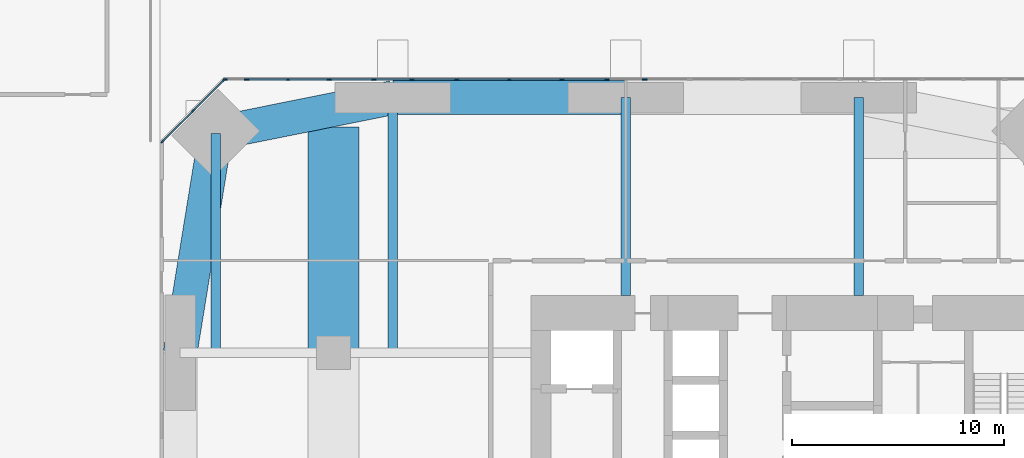
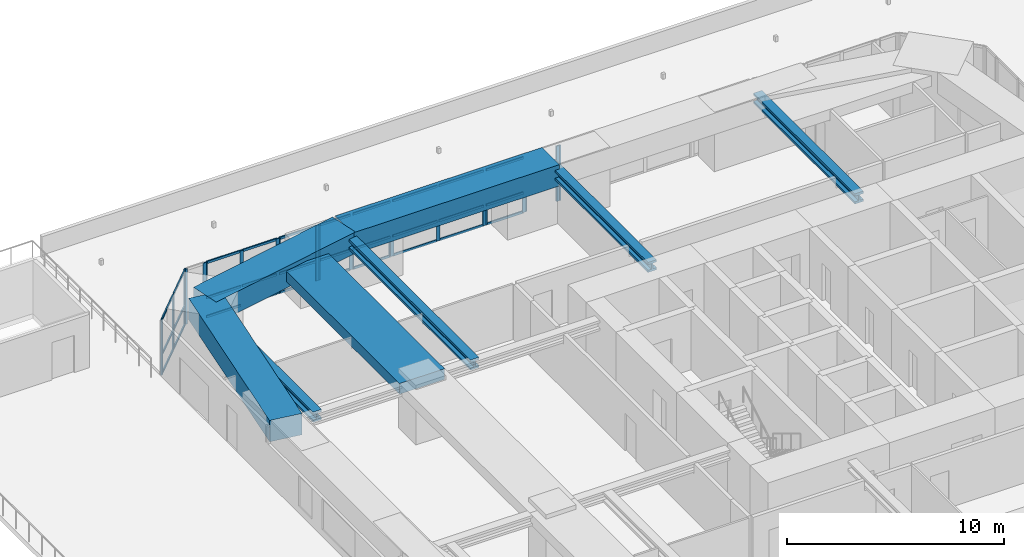
# One storey, part 5 of 20: 52 members, 8 beams, 10 elements without a shape of their own.
"""IFC4 building model written with IfcOpenShell, lengths in metres."""

from ifc_helpers import new_model, si_unit, direction, frame, origin, origin_2d, place, context, subcontext, project, spatial, rectangle, i_section, extrude, material, material_profile, profile_set, type_object, element, aggregate, save


model = new_model("IFC4")

# Units and contexts
model_context = context("Model", 3, precision=1e-05, world=origin(), true_north=direction((0.0, 1.0)))
body_context = subcontext(model_context, "Body", "Model", "MODEL_VIEW")
ifc_project = project(units=[si_unit("LENGTHUNIT", "METRE"), si_unit("AREAUNIT", "SQUARE_METRE"), si_unit("VOLUMEUNIT", "CUBIC_METRE"), si_unit("PLANEANGLEUNIT", "RADIAN"), si_unit("MASSUNIT", "GRAM", prefix="KILO")], contexts=[model_context])

# Site, building, storey
site_placement = place(None, origin())
site = spatial("IfcSite", under=ifc_project, at=site_placement, CompositionType="ELEMENT")
building_placement = place(site_placement, origin())
building = spatial("IfcBuilding", under=site, at=building_placement, Name="Jalousie Tower", CompositionType="ELEMENT")
storey_placement = place(building_placement, frame((0.0, 0.0, 21.0)))
storey = spatial("IfcBuildingStorey", under=building, at=storey_placement, Name="L04", CompositionType="ELEMENT", Elevation=21.0)

# Curtain wall, member
ifc_material_1 = material(Name="Aluminium curtain wall", Category="aluminium")
curtain_wall_type_1 = type_object("IfcCurtainWallType", Name="AMENITY SPANDREL WALL", PredefinedType="USERDEFINED", material=ifc_material_1)
curtain_wall_1_placement = place(storey_placement, origin())
curtain_wall_1 = element("IfcCurtainWall", 1, at=curtain_wall_1_placement, inside=storey, type_object=curtain_wall_type_1, Name="Amenity Spandrel Wall L04 47", ObjectType="AMENITY SPANDREL WALL", PredefinedType="USERDEFINED")
ifc_material_2 = material(Name="Aluminium mullion", Category="aluminium")
ifc_material_profile_1 = material_profile(ifc_material_2, rectangle(XDim=0.06494140625, YDim=0.175048828125, at=origin_2d()), Name="MULLION 65x175")
ifc_profile_set_1 = profile_set([ifc_material_profile_1], Name="Aluminium mullion")
member_type_1 = type_object("IfcMemberType", Name="AMENITY SPANDREL WALL MULLION", PredefinedType="MULLION", material=ifc_profile_set_1)
member_1_placement = place(storey_placement, frame((24.927490234375, 37.91259765625, 0.0), z_axis=(0.0, 0.0, 1.0), x_axis=(0.0, -1.0, 0.0)))
member_1 = element("IfcMember", 2, at=member_1_placement, type_object=member_type_1, Name="CW-AS mullion 2", PredefinedType="MULLION", context=body_context, shape_type="SweptSolid", body=[
    extrude(rectangle(XDim=0.06494140625, YDim=0.175048828125, at=origin_2d()), origin(), (0.0, 0.0, 1.0), 3.110107421875),
])
aggregate(curtain_wall_1, [member_1])

# Curtain wall, members
curtain_wall_2_placement = place(storey_placement, origin())
curtain_wall_2 = element("IfcCurtainWall", 3, at=curtain_wall_2_placement, inside=storey, type_object=curtain_wall_type_1, Name="Amenity Spandrel Wall L04 49", ObjectType="AMENITY SPANDREL WALL", PredefinedType="USERDEFINED")
member_2_placement = place(storey_placement, frame((23.072509765625, 37.91259765625, 0.0), z_axis=(0.0, 0.0, 1.0), x_axis=(0.0, -1.0, 0.0)))
member_2 = element("IfcMember", 4, at=member_2_placement, type_object=member_type_1, Name="CW-AS mullion 1", PredefinedType="MULLION", context=body_context, shape_type="SweptSolid", body=[
    extrude(rectangle(XDim=0.06494140625, YDim=0.175048828125, at=origin_2d()), origin(), (0.0, 0.0, 1.0), 3.110107421875),
])
member_3_placement = place(storey_placement, frame((21.01806640625, 37.91259765625, 0.0), z_axis=(0.0, 0.0, 1.0), x_axis=(0.0, -1.0, 0.0)))
member_3 = element("IfcMember", 5, at=member_3_placement, type_object=member_type_1, Name="CW-AS mullion 2", PredefinedType="MULLION", context=body_context, shape_type="SweptSolid", body=[
    extrude(rectangle(XDim=0.06494140625, YDim=0.175048828125, at=origin_2d()), origin(), (0.0, 0.0, 1.0), 3.110107421875),
])

curtain_wall_3_placement = place(storey_placement, origin())
curtain_wall_3 = element("IfcCurtainWall", 6, at=curtain_wall_3_placement, inside=storey, type_object=curtain_wall_type_1, Name="Amenity Spandrel Wall L04 51", ObjectType="AMENITY SPANDREL WALL", PredefinedType="USERDEFINED")
member_4_placement = place(storey_placement, frame((15.98193359375, 37.91259765625, 0.0), z_axis=(0.0, 0.0, 1.0), x_axis=(0.0, -1.0, 0.0)))
member_4 = element("IfcMember", 7, at=member_4_placement, type_object=member_type_1, Name="CW-AS mullion 1", PredefinedType="MULLION", context=body_context, shape_type="SweptSolid", body=[
    extrude(rectangle(XDim=0.06494140625, YDim=0.175048828125, at=origin_2d()), origin(), (0.0, 0.0, 1.0), 3.110107421875),
])
member_5_placement = place(storey_placement, frame((13.927490234375, 37.91259765625, 0.0), z_axis=(0.0, 0.0, 1.0), x_axis=(0.0, -1.0, 0.0)))
member_5 = element("IfcMember", 8, at=member_5_placement, type_object=member_type_1, Name="CW-AS mullion 2", PredefinedType="MULLION", context=body_context, shape_type="SweptSolid", body=[
    extrude(rectangle(XDim=0.06494140625, YDim=0.175048828125, at=origin_2d()), origin(), (0.0, 0.0, 1.0), 3.110107421875),
])

curtain_wall_4_placement = place(storey_placement, origin())
curtain_wall_4 = element("IfcCurtainWall", 9, at=curtain_wall_4_placement, inside=storey, type_object=curtain_wall_type_1, Name="Amenity Spandrel Wall L04 53", ObjectType="AMENITY SPANDREL WALL", PredefinedType="USERDEFINED")
member_6_placement = place(storey_placement, frame((12.072509765625, 37.91259765625, 0.0), z_axis=(0.0, 0.0, 1.0), x_axis=(0.0, -1.0, 0.0)))
member_6 = element("IfcMember", 10, at=member_6_placement, type_object=member_type_1, Name="CW-AS mullion 1", PredefinedType="MULLION", context=body_context, shape_type="SweptSolid", body=[
    extrude(rectangle(XDim=0.06494140625, YDim=0.175048828125, at=origin_2d()), origin(), (0.0, 0.0, 1.0), 3.110107421875),
])
member_7_placement = place(storey_placement, frame((10.01806640625, 37.91259765625, 0.0), z_axis=(0.0, 0.0, 1.0), x_axis=(0.0, -1.0, 0.0)))
member_7 = element("IfcMember", 11, at=member_7_placement, type_object=member_type_1, Name="CW-AS mullion 2", PredefinedType="MULLION", context=body_context, shape_type="SweptSolid", body=[
    extrude(rectangle(XDim=0.06494140625, YDim=0.175048828125, at=origin_2d()), origin(), (0.0, 0.0, 1.0), 3.110107421875),
])

curtain_wall_5_placement = place(storey_placement, origin())
curtain_wall_5 = element("IfcCurtainWall", 12, at=curtain_wall_5_placement, inside=storey, type_object=curtain_wall_type_1, Name="Amenity Spandrel Wall L04 55", ObjectType="AMENITY SPANDREL WALL", PredefinedType="USERDEFINED")
member_8_placement = place(storey_placement, frame((6.072265625, 37.91259765625, 0.0), z_axis=(0.0, 0.0, 1.0), x_axis=(0.0, -1.0, 0.0)))
member_8 = element("IfcMember", 13, at=member_8_placement, type_object=member_type_1, Name="CW-AS mullion 1", PredefinedType="MULLION", context=body_context, shape_type="SweptSolid", body=[
    extrude(rectangle(XDim=0.06494140625, YDim=0.175048828125, at=origin_2d()), origin(), (0.0, 0.0, 1.0), 3.110107421875),
])
member_9_placement = place(storey_placement, frame((5.083740234375, 37.91259765625, 0.0), z_axis=(0.0, 0.0, 1.0), x_axis=(0.0, -1.0, 0.0)))
member_9 = element("IfcMember", 14, at=member_9_placement, type_object=member_type_1, Name="CW-AS mullion 2", PredefinedType="MULLION", context=body_context, shape_type="SweptSolid", body=[
    extrude(rectangle(XDim=0.06494140625, YDim=0.175048828125, at=origin_2d()), origin(), (0.0, 0.0, 1.0), 3.110107421875),
])
aggregate(curtain_wall_5, [member_8, member_9])

curtain_wall_6_placement = place(storey_placement, origin())
curtain_wall_6 = element("IfcCurtainWall", 15, at=curtain_wall_6_placement, inside=storey, type_object=curtain_wall_type_1, Name="Amenity Spandrel Wall L04 6", ObjectType="AMENITY SPANDREL WALL", PredefinedType="USERDEFINED")
member_10_placement = place(storey_placement, frame((5.0283203125, 37.889404296875, 0.0), z_axis=(0.0, 0.0, 1.0), x_axis=(0.707106781187, -0.707106781187, 0.0)))
member_10 = element("IfcMember", 16, at=member_10_placement, type_object=member_type_1, Name="CW-AS mullion 1", PredefinedType="MULLION", context=body_context, shape_type="SweptSolid", body=[
    extrude(rectangle(XDim=0.06494140625, YDim=0.175048828125, at=origin_2d()), origin(), (0.0, 0.0, 1.0), 3.110107421875),
])
member_11_placement = place(storey_placement, frame((3.5693359375, 36.4306640625, 0.0), z_axis=(0.0, 0.0, 1.0), x_axis=(0.707106781187, -0.707106781187, 0.0)))
member_11 = element("IfcMember", 17, at=member_11_placement, type_object=member_type_1, Name="CW-AS mullion 2", PredefinedType="MULLION", context=body_context, shape_type="SweptSolid", body=[
    extrude(rectangle(XDim=0.06494140625, YDim=0.175048828125, at=origin_2d()), origin(), (0.0, 0.0, 1.0), 3.110107421875),
])
member_12_placement = place(storey_placement, frame((2.110595703125, 34.9716796875, 0.0), z_axis=(0.0, 0.0, 1.0), x_axis=(0.707106781187, -0.707106781187, 0.0)))
member_12 = element("IfcMember", 18, at=member_12_placement, type_object=member_type_1, Name="CW-AS mullion 3", PredefinedType="MULLION", context=body_context, shape_type="SweptSolid", body=[
    extrude(rectangle(XDim=0.06494140625, YDim=0.175048828125, at=origin_2d()), origin(), (0.0, 0.0, 1.0), 3.110107421875),
])

# Member
ifc_material_3 = material(Name="Aluminium transom", Category="aluminium")
ifc_material_profile_2 = material_profile(ifc_material_3, rectangle(XDim=0.06494140625, YDim=0.1298828125, at=origin_2d()), Name="TRANSOM 65x130")
ifc_profile_set_2 = profile_set([ifc_material_profile_2], Name="Aluminium transom")
member_type_2 = type_object("IfcMemberType", Name="AMENITY SPANDREL WALL TRANSOM", PredefinedType="USERDEFINED", material=ifc_profile_set_2)
member_13_placement = place(storey_placement, frame((23.039794921875, 37.91259765625, 0.032470703125), z_axis=(-1.0, 0.0, 0.0), x_axis=(0.0, -1.0, 0.0)))
member_13 = element("IfcMember", 19, at=member_13_placement, type_object=member_type_2, Name="CW-AS transom 1.1", ObjectType="TRANSOM", PredefinedType="USERDEFINED", context=body_context, shape_type="SweptSolid", body=[
    extrude(rectangle(XDim=0.06494140625, YDim=0.1298828125, at=origin_2d()), origin(), (0.0, 0.0, 1.0), 1.9892578125),
])

member_14_placement = place(storey_placement, frame((23.039794921875, 37.91259765625, 1.10009765625), z_axis=(-1.0, 0.0, 0.0), x_axis=(0.0, -1.0, 0.0)))
member_14 = element("IfcMember", 20, at=member_14_placement, type_object=member_type_2, Name="CW-AS transom 1.2", ObjectType="TRANSOM", PredefinedType="USERDEFINED", context=body_context, shape_type="SweptSolid", body=[
    extrude(rectangle(XDim=0.06494140625, YDim=0.1298828125, at=origin_2d()), origin(), (0.0, 0.0, 1.0), 1.9892578125),
])

member_15_placement = place(storey_placement, frame((23.039794921875, 37.91259765625, 3.077392578125), z_axis=(-1.0, 0.0, 0.0), x_axis=(0.0, -1.0, 0.0)))
member_15 = element("IfcMember", 21, at=member_15_placement, type_object=member_type_2, Name="CW-AS transom 1.3", ObjectType="TRANSOM", PredefinedType="USERDEFINED", context=body_context, shape_type="SweptSolid", body=[
    extrude(rectangle(XDim=0.06494140625, YDim=0.1298828125, at=origin_2d()), origin(), (0.0, 0.0, 1.0), 1.9892578125),
])

aggregate(curtain_wall_2, [member_2, member_3, member_13, member_14, member_15])

member_16_placement = place(storey_placement, frame((15.949462890625, 37.91259765625, 0.032470703125), z_axis=(-1.0, 0.0, 0.0), x_axis=(0.0, -1.0, 0.0)))
member_16 = element("IfcMember", 22, at=member_16_placement, type_object=member_type_2, Name="CW-AS transom 1.1", ObjectType="TRANSOM", PredefinedType="USERDEFINED", context=body_context, shape_type="SweptSolid", body=[
    extrude(rectangle(XDim=0.06494140625, YDim=0.1298828125, at=origin_2d()), origin(), (0.0, 0.0, 1.0), 1.9892578125),
])

member_17_placement = place(storey_placement, frame((15.949462890625, 37.91259765625, 1.10009765625), z_axis=(-1.0, 0.0, 0.0), x_axis=(0.0, -1.0, 0.0)))
member_17 = element("IfcMember", 23, at=member_17_placement, type_object=member_type_2, Name="CW-AS transom 1.2", ObjectType="TRANSOM", PredefinedType="USERDEFINED", context=body_context, shape_type="SweptSolid", body=[
    extrude(rectangle(XDim=0.06494140625, YDim=0.1298828125, at=origin_2d()), origin(), (0.0, 0.0, 1.0), 1.9892578125),
])

member_18_placement = place(storey_placement, frame((15.949462890625, 37.91259765625, 3.077392578125), z_axis=(-1.0, 0.0, 0.0), x_axis=(0.0, -1.0, 0.0)))
member_18 = element("IfcMember", 24, at=member_18_placement, type_object=member_type_2, Name="CW-AS transom 1.3", ObjectType="TRANSOM", PredefinedType="USERDEFINED", context=body_context, shape_type="SweptSolid", body=[
    extrude(rectangle(XDim=0.06494140625, YDim=0.1298828125, at=origin_2d()), origin(), (0.0, 0.0, 1.0), 1.9892578125),
])

aggregate(curtain_wall_3, [member_4, member_5, member_16, member_17, member_18])

member_19_placement = place(storey_placement, frame((12.039794921875, 37.91259765625, 0.032470703125), z_axis=(-1.0, 0.0, 0.0), x_axis=(0.0, -1.0, 0.0)))
member_19 = element("IfcMember", 25, at=member_19_placement, type_object=member_type_2, Name="CW-AS transom 1.1", ObjectType="TRANSOM", PredefinedType="USERDEFINED", context=body_context, shape_type="SweptSolid", body=[
    extrude(rectangle(XDim=0.06494140625, YDim=0.1298828125, at=origin_2d()), origin(), (0.0, 0.0, 1.0), 1.9892578125),
])

member_20_placement = place(storey_placement, frame((12.039794921875, 37.91259765625, 1.10009765625), z_axis=(-1.0, 0.0, 0.0), x_axis=(0.0, -1.0, 0.0)))
member_20 = element("IfcMember", 26, at=member_20_placement, type_object=member_type_2, Name="CW-AS transom 1.2", ObjectType="TRANSOM", PredefinedType="USERDEFINED", context=body_context, shape_type="SweptSolid", body=[
    extrude(rectangle(XDim=0.06494140625, YDim=0.1298828125, at=origin_2d()), origin(), (0.0, 0.0, 1.0), 1.9892578125),
])

member_21_placement = place(storey_placement, frame((12.039794921875, 37.91259765625, 3.077392578125), z_axis=(-1.0, 0.0, 0.0), x_axis=(0.0, -1.0, 0.0)))
member_21 = element("IfcMember", 27, at=member_21_placement, type_object=member_type_2, Name="CW-AS transom 1.3", ObjectType="TRANSOM", PredefinedType="USERDEFINED", context=body_context, shape_type="SweptSolid", body=[
    extrude(rectangle(XDim=0.06494140625, YDim=0.1298828125, at=origin_2d()), origin(), (0.0, 0.0, 1.0), 1.9892578125),
])

aggregate(curtain_wall_4, [member_6, member_7, member_19, member_20, member_21])

member_22_placement = place(storey_placement, frame((5.00537109375, 37.866455078125, 0.032470703125), z_axis=(-0.707167867686, -0.707045689409, 0.0), x_axis=(0.707045689409, -0.707167867686, 0.0)))
member_22 = element("IfcMember", 28, at=member_22_placement, type_object=member_type_2, Name="CW-AS transom 1.1", ObjectType="TRANSOM", PredefinedType="USERDEFINED", context=body_context, shape_type="SweptSolid", body=[
    extrude(rectangle(XDim=0.06494140625, YDim=0.1298828125, at=origin_2d()), origin(), (0.0, 0.0, 1.0), 1.998291015625),
])

member_23_placement = place(storey_placement, frame((5.00537109375, 37.866455078125, 1.10009765625), z_axis=(-0.707167867686, -0.707045689409, 0.0), x_axis=(0.707045689409, -0.707167867686, 0.0)))
member_23 = element("IfcMember", 29, at=member_23_placement, type_object=member_type_2, Name="CW-AS transom 1.2", ObjectType="TRANSOM", PredefinedType="USERDEFINED", context=body_context, shape_type="SweptSolid", body=[
    extrude(rectangle(XDim=0.06494140625, YDim=0.1298828125, at=origin_2d()), origin(), (0.0, 0.0, 1.0), 1.998291015625),
])

member_24_placement = place(storey_placement, frame((5.00537109375, 37.866455078125, 3.077392578125), z_axis=(-0.707167867686, -0.707045689409, 0.0), x_axis=(0.707045689409, -0.707167867686, 0.0)))
member_24 = element("IfcMember", 30, at=member_24_placement, type_object=member_type_2, Name="CW-AS transom 1.3", ObjectType="TRANSOM", PredefinedType="USERDEFINED", context=body_context, shape_type="SweptSolid", body=[
    extrude(rectangle(XDim=0.06494140625, YDim=0.1298828125, at=origin_2d()), origin(), (0.0, 0.0, 1.0), 1.998291015625),
])

member_25_placement = place(storey_placement, frame((3.54638671875, 36.40771484375, 0.032470703125), z_axis=(-0.707045689409, -0.707167867686, 0.0), x_axis=(0.707167867686, -0.707045689409, 0.0)))
member_25 = element("IfcMember", 31, at=member_25_placement, type_object=member_type_2, Name="CW-AS transom 2.1", ObjectType="TRANSOM", PredefinedType="USERDEFINED", context=body_context, shape_type="SweptSolid", body=[
    extrude(rectangle(XDim=0.06494140625, YDim=0.1298828125, at=origin_2d()), origin(), (0.0, 0.0, 1.0), 1.998291015625),
])

member_26_placement = place(storey_placement, frame((3.54638671875, 36.40771484375, 1.10009765625), z_axis=(-0.707045689409, -0.707167867686, 0.0), x_axis=(0.707167867686, -0.707045689409, 0.0)))
member_26 = element("IfcMember", 32, at=member_26_placement, type_object=member_type_2, Name="CW-AS transom 2.2", ObjectType="TRANSOM", PredefinedType="USERDEFINED", context=body_context, shape_type="SweptSolid", body=[
    extrude(rectangle(XDim=0.06494140625, YDim=0.1298828125, at=origin_2d()), origin(), (0.0, 0.0, 1.0), 1.998291015625),
])

member_27_placement = place(storey_placement, frame((3.54638671875, 36.40771484375, 3.077392578125), z_axis=(-0.707045689409, -0.707167867686, 0.0), x_axis=(0.707167867686, -0.707045689409, 0.0)))
member_27 = element("IfcMember", 33, at=member_27_placement, type_object=member_type_2, Name="CW-AS transom 2.3", ObjectType="TRANSOM", PredefinedType="USERDEFINED", context=body_context, shape_type="SweptSolid", body=[
    extrude(rectangle(XDim=0.06494140625, YDim=0.1298828125, at=origin_2d()), origin(), (0.0, 0.0, 1.0), 1.998291015625),
])

aggregate(curtain_wall_6, [member_10, member_11, member_12, member_22, member_23, member_24, member_25, member_26, member_27])

# Curtain wall, members
ifc_material_4 = material(Name="Aluminium curtain wall", Category="aluminium")
curtain_wall_type_2 = type_object("IfcCurtainWallType", Name="AMENITY WINDOW WALL", PredefinedType="USERDEFINED", material=ifc_material_4)
curtain_wall_7_placement = place(storey_placement, origin())
curtain_wall_7 = element("IfcCurtainWall", 34, at=curtain_wall_7_placement, inside=storey, type_object=curtain_wall_type_2, Name="Amenity Window Wall L04 48", ObjectType="AMENITY WINDOW WALL", PredefinedType="USERDEFINED")
ifc_material_5 = material(Name="Aluminium mullion", Category="aluminium")
ifc_material_profile_3 = material_profile(ifc_material_5, rectangle(XDim=0.06494140625, YDim=0.175048828125, at=origin_2d()), Name="MULLION 65x175")
ifc_profile_set_3 = profile_set([ifc_material_profile_3], Name="Aluminium mullion")
member_type_3 = type_object("IfcMemberType", Name="AMENITY WINDOW WALL MULLION", PredefinedType="MULLION", material=ifc_profile_set_3)
member_28_placement = place(storey_placement, frame((24.862548828125, 37.91259765625, 0.0), z_axis=(0.0, 0.0, 1.0), x_axis=(0.0, -1.0, 0.0)))
member_28 = element("IfcMember", 35, at=member_28_placement, type_object=member_type_3, Name="CW-A mullion 1", PredefinedType="MULLION", context=body_context, shape_type="SweptSolid", body=[
    extrude(rectangle(XDim=0.06494140625, YDim=0.175048828125, at=origin_2d()), origin(), (0.0, 0.0, 1.0), 3.110107421875),
])
member_29_placement = place(storey_placement, frame((23.137451171875, 37.91259765625, 0.0), z_axis=(0.0, 0.0, 1.0), x_axis=(0.0, -1.0, 0.0)))
member_29 = element("IfcMember", 36, at=member_29_placement, type_object=member_type_3, Name="CW-A mullion 2", PredefinedType="MULLION", context=body_context, shape_type="SweptSolid", body=[
    extrude(rectangle(XDim=0.06494140625, YDim=0.175048828125, at=origin_2d()), origin(), (0.0, 0.0, 1.0), 3.110107421875),
])
aggregate(curtain_wall_7, [member_28, member_29])

curtain_wall_8_placement = place(storey_placement, origin())
curtain_wall_8 = element("IfcCurtainWall", 37, at=curtain_wall_8_placement, inside=storey, type_object=curtain_wall_type_2, Name="Amenity Window Wall L04 50", ObjectType="AMENITY WINDOW WALL", PredefinedType="USERDEFINED")
member_30_placement = place(storey_placement, frame((20.952880859375, 37.91259765625, 0.0), z_axis=(0.0, 0.0, 1.0), x_axis=(0.0, -1.0, 0.0)))
member_30 = element("IfcMember", 38, at=member_30_placement, type_object=member_type_3, Name="CW-A mullion 1", PredefinedType="MULLION", context=body_context, shape_type="SweptSolid", body=[
    extrude(rectangle(XDim=0.06494140625, YDim=0.175048828125, at=origin_2d()), origin(), (0.0, 0.0, 1.0), 3.110107421875),
])
member_31_placement = place(storey_placement, frame((18.5, 37.91259765625, 0.0), z_axis=(0.0, 0.0, 1.0), x_axis=(0.0, -1.0, 0.0)))
member_31 = element("IfcMember", 39, at=member_31_placement, type_object=member_type_3, Name="CW-A mullion 2", PredefinedType="MULLION", context=body_context, shape_type="SweptSolid", body=[
    extrude(rectangle(XDim=0.06494140625, YDim=0.175048828125, at=origin_2d()), origin(), (0.0, 0.0, 1.0), 3.110107421875),
])
member_32_placement = place(storey_placement, frame((16.047119140625, 37.91259765625, 0.0), z_axis=(0.0, 0.0, 1.0), x_axis=(0.0, -1.0, 0.0)))
member_32 = element("IfcMember", 40, at=member_32_placement, type_object=member_type_3, Name="CW-A mullion 3", PredefinedType="MULLION", context=body_context, shape_type="SweptSolid", body=[
    extrude(rectangle(XDim=0.06494140625, YDim=0.175048828125, at=origin_2d()), origin(), (0.0, 0.0, 1.0), 3.110107421875),
])

curtain_wall_9_placement = place(storey_placement, origin())
curtain_wall_9 = element("IfcCurtainWall", 41, at=curtain_wall_9_placement, inside=storey, type_object=curtain_wall_type_2, Name="Amenity Window Wall L04 52", ObjectType="AMENITY WINDOW WALL", PredefinedType="USERDEFINED")
member_33_placement = place(storey_placement, frame((13.862548828125, 37.91259765625, 0.0), z_axis=(0.0, 0.0, 1.0), x_axis=(0.0, -1.0, 0.0)))
member_33 = element("IfcMember", 42, at=member_33_placement, type_object=member_type_3, Name="CW-A mullion 1", PredefinedType="MULLION", context=body_context, shape_type="SweptSolid", body=[
    extrude(rectangle(XDim=0.06494140625, YDim=0.175048828125, at=origin_2d()), origin(), (0.0, 0.0, 1.0), 3.110107421875),
])
member_34_placement = place(storey_placement, frame((12.137451171875, 37.91259765625, 0.0), z_axis=(0.0, 0.0, 1.0), x_axis=(0.0, -1.0, 0.0)))
member_34 = element("IfcMember", 43, at=member_34_placement, type_object=member_type_3, Name="CW-A mullion 2", PredefinedType="MULLION", context=body_context, shape_type="SweptSolid", body=[
    extrude(rectangle(XDim=0.06494140625, YDim=0.175048828125, at=origin_2d()), origin(), (0.0, 0.0, 1.0), 3.110107421875),
])

curtain_wall_10_placement = place(storey_placement, origin())
curtain_wall_10 = element("IfcCurtainWall", 44, at=curtain_wall_10_placement, inside=storey, type_object=curtain_wall_type_2, Name="Amenity Window Wall L04 54", ObjectType="AMENITY WINDOW WALL", PredefinedType="USERDEFINED")
member_35_placement = place(storey_placement, frame((9.952880859375, 37.91259765625, 0.0), z_axis=(0.0, 0.0, 1.0), x_axis=(0.0, -1.0, 0.0)))
member_35 = element("IfcMember", 45, at=member_35_placement, type_object=member_type_3, Name="CW-A mullion 1", PredefinedType="MULLION", context=body_context, shape_type="SweptSolid", body=[
    extrude(rectangle(XDim=0.06494140625, YDim=0.175048828125, at=origin_2d()), origin(), (0.0, 0.0, 1.0), 3.110107421875),
])
member_36_placement = place(storey_placement, frame((8.045166015625, 37.91259765625, 0.0), z_axis=(0.0, 0.0, 1.0), x_axis=(0.0, -1.0, 0.0)))
member_36 = element("IfcMember", 46, at=member_36_placement, type_object=member_type_3, Name="CW-A mullion 2", PredefinedType="MULLION", context=body_context, shape_type="SweptSolid", body=[
    extrude(rectangle(XDim=0.06494140625, YDim=0.175048828125, at=origin_2d()), origin(), (0.0, 0.0, 1.0), 3.110107421875),
])
member_37_placement = place(storey_placement, frame((6.13720703125, 37.91259765625, 0.0), z_axis=(0.0, 0.0, 1.0), x_axis=(0.0, -1.0, 0.0)))
member_37 = element("IfcMember", 47, at=member_37_placement, type_object=member_type_3, Name="CW-A mullion 3", PredefinedType="MULLION", context=body_context, shape_type="SweptSolid", body=[
    extrude(rectangle(XDim=0.06494140625, YDim=0.175048828125, at=origin_2d()), origin(), (0.0, 0.0, 1.0), 3.110107421875),
])

# Member
ifc_material_6 = material(Name="Aluminium transom", Category="aluminium")
ifc_material_profile_4 = material_profile(ifc_material_6, rectangle(XDim=0.06494140625, YDim=0.1298828125, at=origin_2d()), Name="TRANSOM 65x130")
ifc_profile_set_4 = profile_set([ifc_material_profile_4], Name="Aluminium transom")
member_type_4 = type_object("IfcMemberType", Name="AMENITY WINDOW WALL TRANSOM", PredefinedType="USERDEFINED", material=ifc_profile_set_4)
member_38_placement = place(storey_placement, frame((20.92041015625, 37.91259765625, 0.032470703125), z_axis=(-1.0, 0.0, 0.0), x_axis=(0.0, -1.0, 0.0)))
member_38 = element("IfcMember", 48, at=member_38_placement, type_object=member_type_4, Name="CW-A transom 1.1", ObjectType="TRANSOM", PredefinedType="USERDEFINED", context=body_context, shape_type="SweptSolid", body=[
    extrude(rectangle(XDim=0.06494140625, YDim=0.1298828125, at=origin_2d()), origin(), (0.0, 0.0, 1.0), 2.387939453125),
])

member_39_placement = place(storey_placement, frame((20.92041015625, 37.91259765625, 1.10009765625), z_axis=(-1.0, 0.0, 0.0), x_axis=(0.0, -1.0, 0.0)))
member_39 = element("IfcMember", 49, at=member_39_placement, type_object=member_type_4, Name="CW-A transom 1.2", ObjectType="TRANSOM", PredefinedType="USERDEFINED", context=body_context, shape_type="SweptSolid", body=[
    extrude(rectangle(XDim=0.06494140625, YDim=0.1298828125, at=origin_2d()), origin(), (0.0, 0.0, 1.0), 2.387939453125),
])

member_40_placement = place(storey_placement, frame((20.92041015625, 37.91259765625, 3.077392578125), z_axis=(-1.0, 0.0, 0.0), x_axis=(0.0, -1.0, 0.0)))
member_40 = element("IfcMember", 50, at=member_40_placement, type_object=member_type_4, Name="CW-A transom 1.3", ObjectType="TRANSOM", PredefinedType="USERDEFINED", context=body_context, shape_type="SweptSolid", body=[
    extrude(rectangle(XDim=0.06494140625, YDim=0.1298828125, at=origin_2d()), origin(), (0.0, 0.0, 1.0), 2.387939453125),
])

member_41_placement = place(storey_placement, frame((18.467529296875, 37.91259765625, 0.032470703125), z_axis=(-1.0, 0.0, 0.0), x_axis=(0.0, -1.0, 0.0)))
member_41 = element("IfcMember", 51, at=member_41_placement, type_object=member_type_4, Name="CW-A transom 2.1", ObjectType="TRANSOM", PredefinedType="USERDEFINED", context=body_context, shape_type="SweptSolid", body=[
    extrude(rectangle(XDim=0.06494140625, YDim=0.1298828125, at=origin_2d()), origin(), (0.0, 0.0, 1.0), 2.387939453125),
])

member_42_placement = place(storey_placement, frame((18.467529296875, 37.91259765625, 1.10009765625), z_axis=(-1.0, 0.0, 0.0), x_axis=(0.0, -1.0, 0.0)))
member_42 = element("IfcMember", 52, at=member_42_placement, type_object=member_type_4, Name="CW-A transom 2.2", ObjectType="TRANSOM", PredefinedType="USERDEFINED", context=body_context, shape_type="SweptSolid", body=[
    extrude(rectangle(XDim=0.06494140625, YDim=0.1298828125, at=origin_2d()), origin(), (0.0, 0.0, 1.0), 2.387939453125),
])

member_43_placement = place(storey_placement, frame((18.467529296875, 37.91259765625, 3.077392578125), z_axis=(-1.0, 0.0, 0.0), x_axis=(0.0, -1.0, 0.0)))
member_43 = element("IfcMember", 53, at=member_43_placement, type_object=member_type_4, Name="CW-A transom 2.3", ObjectType="TRANSOM", PredefinedType="USERDEFINED", context=body_context, shape_type="SweptSolid", body=[
    extrude(rectangle(XDim=0.06494140625, YDim=0.1298828125, at=origin_2d()), origin(), (0.0, 0.0, 1.0), 2.387939453125),
])

aggregate(curtain_wall_8, [member_30, member_31, member_32, member_38, member_39, member_40, member_41, member_42, member_43])

member_44_placement = place(storey_placement, frame((13.830078125, 37.91259765625, 0.032470703125), z_axis=(-1.0, 0.0, 0.0), x_axis=(0.0, -1.0, 0.0)))
member_44 = element("IfcMember", 54, at=member_44_placement, type_object=member_type_4, Name="CW-A transom 1.1", ObjectType="TRANSOM", PredefinedType="USERDEFINED", context=body_context, shape_type="SweptSolid", body=[
    extrude(rectangle(XDim=0.06494140625, YDim=0.1298828125, at=origin_2d()), origin(), (0.0, 0.0, 1.0), 1.66015625),
])

member_45_placement = place(storey_placement, frame((13.830078125, 37.91259765625, 1.10009765625), z_axis=(-1.0, 0.0, 0.0), x_axis=(0.0, -1.0, 0.0)))
member_45 = element("IfcMember", 55, at=member_45_placement, type_object=member_type_4, Name="CW-A transom 1.2", ObjectType="TRANSOM", PredefinedType="USERDEFINED", context=body_context, shape_type="SweptSolid", body=[
    extrude(rectangle(XDim=0.06494140625, YDim=0.1298828125, at=origin_2d()), origin(), (0.0, 0.0, 1.0), 1.66015625),
])

member_46_placement = place(storey_placement, frame((13.830078125, 37.91259765625, 3.077392578125), z_axis=(-1.0, 0.0, 0.0), x_axis=(0.0, -1.0, 0.0)))
member_46 = element("IfcMember", 56, at=member_46_placement, type_object=member_type_4, Name="CW-A transom 1.3", ObjectType="TRANSOM", PredefinedType="USERDEFINED", context=body_context, shape_type="SweptSolid", body=[
    extrude(rectangle(XDim=0.06494140625, YDim=0.1298828125, at=origin_2d()), origin(), (0.0, 0.0, 1.0), 1.66015625),
])

aggregate(curtain_wall_9, [member_33, member_34, member_44, member_45, member_46])

member_47_placement = place(storey_placement, frame((9.92041015625, 37.91259765625, 0.032470703125), z_axis=(-1.0, 0.0, 0.0), x_axis=(0.0, -1.0, 0.0)))
member_47 = element("IfcMember", 57, at=member_47_placement, type_object=member_type_4, Name="CW-A transom 1.1", ObjectType="TRANSOM", PredefinedType="USERDEFINED", context=body_context, shape_type="SweptSolid", body=[
    extrude(rectangle(XDim=0.06494140625, YDim=0.1298828125, at=origin_2d()), origin(), (0.0, 0.0, 1.0), 1.8427734375),
])

member_48_placement = place(storey_placement, frame((9.92041015625, 37.91259765625, 1.10009765625), z_axis=(-1.0, 0.0, 0.0), x_axis=(0.0, -1.0, 0.0)))
member_48 = element("IfcMember", 58, at=member_48_placement, type_object=member_type_4, Name="CW-A transom 1.2", ObjectType="TRANSOM", PredefinedType="USERDEFINED", context=body_context, shape_type="SweptSolid", body=[
    extrude(rectangle(XDim=0.06494140625, YDim=0.1298828125, at=origin_2d()), origin(), (0.0, 0.0, 1.0), 1.8427734375),
])

member_49_placement = place(storey_placement, frame((9.92041015625, 37.91259765625, 3.077392578125), z_axis=(-1.0, 0.0, 0.0), x_axis=(0.0, -1.0, 0.0)))
member_49 = element("IfcMember", 59, at=member_49_placement, type_object=member_type_4, Name="CW-A transom 1.3", ObjectType="TRANSOM", PredefinedType="USERDEFINED", context=body_context, shape_type="SweptSolid", body=[
    extrude(rectangle(XDim=0.06494140625, YDim=0.1298828125, at=origin_2d()), origin(), (0.0, 0.0, 1.0), 1.8427734375),
])

member_50_placement = place(storey_placement, frame((8.0126953125, 37.91259765625, 0.032470703125), z_axis=(-1.0, 0.0, 0.0), x_axis=(0.0, -1.0, 0.0)))
member_50 = element("IfcMember", 60, at=member_50_placement, type_object=member_type_4, Name="CW-A transom 2.1", ObjectType="TRANSOM", PredefinedType="USERDEFINED", context=body_context, shape_type="SweptSolid", body=[
    extrude(rectangle(XDim=0.06494140625, YDim=0.1298828125, at=origin_2d()), origin(), (0.0, 0.0, 1.0), 1.8427734375),
])

member_51_placement = place(storey_placement, frame((8.0126953125, 37.91259765625, 1.10009765625), z_axis=(-1.0, 0.0, 0.0), x_axis=(0.0, -1.0, 0.0)))
member_51 = element("IfcMember", 61, at=member_51_placement, type_object=member_type_4, Name="CW-A transom 2.2", ObjectType="TRANSOM", PredefinedType="USERDEFINED", context=body_context, shape_type="SweptSolid", body=[
    extrude(rectangle(XDim=0.06494140625, YDim=0.1298828125, at=origin_2d()), origin(), (0.0, 0.0, 1.0), 1.8427734375),
])

member_52_placement = place(storey_placement, frame((8.0126953125, 37.91259765625, 3.077392578125), z_axis=(-1.0, 0.0, 0.0), x_axis=(0.0, -1.0, 0.0)))
member_52 = element("IfcMember", 62, at=member_52_placement, type_object=member_type_4, Name="CW-A transom 2.3", ObjectType="TRANSOM", PredefinedType="USERDEFINED", context=body_context, shape_type="SweptSolid", body=[
    extrude(rectangle(XDim=0.06494140625, YDim=0.1298828125, at=origin_2d()), origin(), (0.0, 0.0, 1.0), 1.8427734375),
])

aggregate(curtain_wall_10, [member_35, member_36, member_37, member_47, member_48, member_49, member_50, member_51, member_52])

# Beams
ifc_material_7 = material(Name="Steel ASTM A992 Grade 50", Category="steel")
ifc_material_profile_5 = material_profile(ifc_material_7, i_section(OverallWidth=0.45458984375, OverallDepth=0.569091796875, WebThickness=0.077880859375, FlangeThickness=0.124755859375, at=origin_2d()), Name="W14X730")
ifc_profile_set_5 = profile_set([ifc_material_profile_5], Name="Steel ASTM A992 Grade 50")
beam_type_1 = type_object("IfcBeamType", Name="LEAN COLLECTOR W14X730", PredefinedType="BEAM", material=ifc_profile_set_5)
for number, where, z_axis, x_axis, name in (
    (63, (24.0, 37.050048828125, 2.825439453125), (0.0, -1.0, 0.0), (1.0, 0.0, 0.0), "Lean collector under L05"),
    (64, (35.0, 37.050048828125, 2.825439453125), (0.0, -1.0, 0.0), (1.0, 0.0, 0.0), "Lean collector under L05"),
):
    element("IfcBeam", number, at=place(storey_placement, frame(where, z_axis=z_axis, x_axis=x_axis)), inside=storey, type_object=beam_type_1, Name=name, PredefinedType="BEAM", context=body_context, shape_type="SweptSolid", body=[
        extrude(i_section(OverallWidth=0.45458984375, OverallDepth=0.569091796875, WebThickness=0.077880859375, FlangeThickness=0.124755859375, at=origin_2d()), origin(), (0.0, 0.0, 1.0), 9.35009765625),
    ])
beam_1_placement = place(storey_placement, frame((4.63134765625, 35.36865234375, 2.825439453125), z_axis=(0.0, -1.0, 0.0), x_axis=(1.0, 0.0, 0.0)))
element("IfcBeam", 65, at=beam_1_placement, inside=storey, type_object=beam_type_1, Name="Lean collector under L05", PredefinedType="BEAM", context=body_context, shape_type="SweptSolid", body=[
    extrude(i_section(OverallWidth=0.45458984375, OverallDepth=0.569091796875, WebThickness=0.077880859375, FlangeThickness=0.124755859375, at=origin_2d()), origin(), (0.0, 0.0, 1.0), 10.36865234375),
])
beam_2_placement = place(storey_placement, frame((13.0, 37.050048828125, 2.825439453125), z_axis=(0.0, -1.0, 0.0), x_axis=(1.0, 0.0, 0.0)))
element("IfcBeam", 66, at=beam_2_placement, inside=storey, type_object=beam_type_1, Name="Lean collector under L05", PredefinedType="BEAM", context=body_context, shape_type="SweptSolid", body=[
    extrude(i_section(OverallWidth=0.45458984375, OverallDepth=0.569091796875, WebThickness=0.077880859375, FlangeThickness=0.124755859375, at=origin_2d()), origin(), (0.0, 0.0, 1.0), 12.050048828125),
])
ifc_material_8 = material(Name="Concrete f'c 40 MPa", Category="concrete")
ifc_material_profile_6 = material_profile(ifc_material_8, rectangle(XDim=1.60009765625, YDim=1.199951171875, at=origin_2d()), Name="RC 1600x1200")
ifc_profile_set_6 = profile_set([ifc_material_profile_6], Name="Concrete f'c 40 MPa")
beam_type_2 = type_object("IfcBeamType", Name="RC BEAM 1600x1200", PredefinedType="BEAM", material=ifc_profile_set_6)
beam_3_placement = place(storey_placement, frame((24.0, 37.050048828125, 2.75), z_axis=(-1.0, 0.0, 0.0), x_axis=(0.0, -1.0, 0.0)))
element("IfcBeam", 67, at=beam_3_placement, inside=storey, type_object=beam_type_2, Name="Edge band beam 10-11 under L05", PredefinedType="BEAM", context=body_context, shape_type="SweptSolid", body=[
    extrude(rectangle(XDim=1.60009765625, YDim=1.199951171875, at=origin_2d()), origin(), (0.0, 0.0, 1.0), 11.0),
])
beam_4_placement = place(storey_placement, frame((13.0, 37.050048828125, 2.75), z_axis=(-0.980407585444, -0.196979609107, 0.0), x_axis=(0.196979609107, -0.980407585444, 0.0)))
element("IfcBeam", 68, at=beam_4_placement, inside=storey, type_object=beam_type_2, Name="Edge band beam 11-12 under L05", PredefinedType="BEAM", context=body_context, shape_type="SweptSolid", body=[
    extrude(rectangle(XDim=1.60009765625, YDim=1.199951171875, at=origin_2d()), origin(), (0.0, 0.0, 1.0), 8.535888671875),
])
beam_5_placement = place(storey_placement, frame((4.63134765625, 35.36865234375, 2.75), z_axis=(-0.160070546476, -0.987105577003, 0.0), x_axis=(0.987105577003, -0.160070546476, 0.0)))
element("IfcBeam", 69, at=beam_5_placement, inside=storey, type_object=beam_type_2, Name="Edge band beam 12-13 under L05", PredefinedType="BEAM", context=body_context, shape_type="SweptSolid", body=[
    extrude(rectangle(XDim=1.60009765625, YDim=1.199951171875, at=origin_2d()), origin(), (0.0, 0.0, 1.0), 10.504150390625),
])
ifc_material_9 = material(Name="Concrete f'c 40 MPa", Category="concrete")
ifc_material_profile_7 = material_profile(ifc_material_9, rectangle(XDim=2.39990234375, YDim=0.60009765625, at=origin_2d()), Name="RC 2400x600")
ifc_profile_set_7 = profile_set([ifc_material_profile_7], Name="Concrete f'c 40 MPa")
beam_type_3 = type_object("IfcBeamType", Name="RC BEAM 2400x600", PredefinedType="BEAM", material=ifc_profile_set_7)
beam_6_placement = place(storey_placement, frame((10.199951171875, 25.0, 2.81005859375), z_axis=(0.0, 1.0, 0.0), x_axis=(-1.0, 0.0, 0.0)))
element("IfcBeam", 70, at=beam_6_placement, inside=storey, type_object=beam_type_3, Name="Floor band beam under L05", PredefinedType="BEAM", context=body_context, shape_type="SweptSolid", body=[
    extrude(rectangle(XDim=2.39990234375, YDim=0.60009765625, at=origin_2d()), origin(), (0.0, 0.0, 1.0), 10.67138671875),
])

save(model, "model.ifc")
